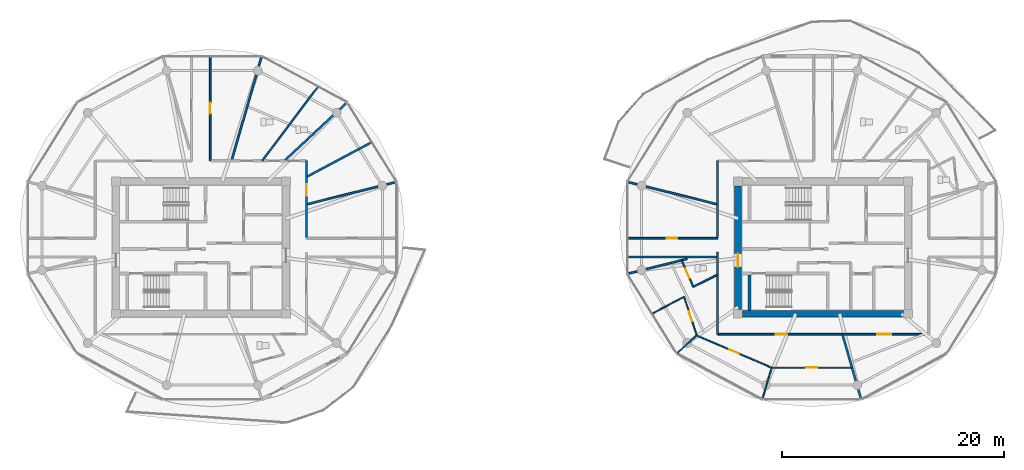
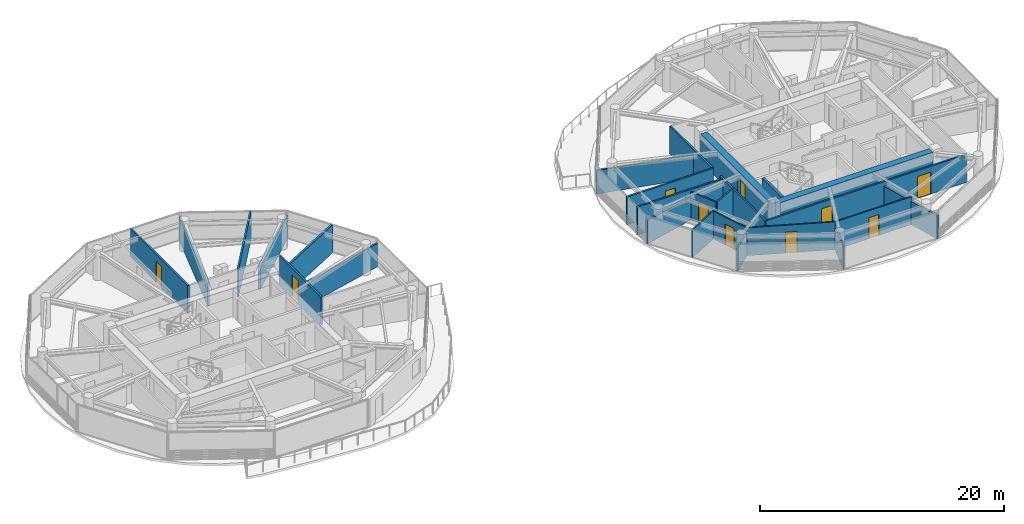
# One storey, part 14 of 23: 26 walls, 10 doors, 10 openings.
"""IFC4 building model written with IfcOpenShell, lengths in metres."""

import ifcopenshell
import ifcopenshell.guid

model = None  # the IFC model being written
_history = None  # IfcOwnerHistory: only IFC2X3 demands one
_inside = {}  # id of a spatial element -> (the spatial element, [elements in it])
_under = {}  # id of a project, library or spatial element -> (it, [spatial elements below it])
_declared = {}  # id of a project -> (the project, [libraries it declares])
_typed = {}  # id of a type object -> (the type object, [elements of that type])
_made_of = {}  # id of a material, layer set ... -> (it, [elements and type objects made of it])


def new_model(schema):
    """Start an empty IFC model of exactly this schema.

    Asked for "IFC4X3", IfcOpenShell would pick the latest addendum, in which some entities
    have other attributes; the version numbers below select the first issue.
    IFC2X3 requires an IfcOwnerHistory on every rooted entity: one is made here for all.
    """
    global model, _history
    if schema == "IFC4X3":
        model = ifcopenshell.file(schema_version=(4, 3, 0, 0))
    else:
        model = ifcopenshell.file(schema=schema)
    _inside.clear()
    _under.clear()
    _declared.clear()
    _typed.clear()
    _made_of.clear()
    _history = None
    if model.schema == "IFC2X3":
        org = make("IfcOrganization", Name="unknown")
        user = make(
            "IfcPersonAndOrganization",
            ThePerson=make("IfcPerson", FamilyName="unknown"),
            TheOrganization=org,
        )
        app = make(
            "IfcApplication",
            ApplicationDeveloper=org,
            Version="unknown",
            ApplicationFullName="unknown",
            ApplicationIdentifier="unknown",
        )
        _history = make(
            "IfcOwnerHistory",
            OwningUser=user,
            OwningApplication=app,
            ChangeAction="ADDED",
            CreationDate=0,
        )
    return model


def make(cls, **values):
    """One entity of the class cls with the attributes given. An attribute that is None is left unset."""
    return model.create_entity(
        cls, **{name: value for name, value in values.items() if value is not None}
    )


def rooted(cls, **values):
    """An entity with a GlobalId (a new one), such as an element, a storey or a relation."""
    return make(cls, GlobalId=ifcopenshell.guid.new(), OwnerHistory=_history, **values)


def si_unit(unit_type, name, prefix=None):
    """IfcSIUnit, for example si_unit("LENGTHUNIT", "METRE", prefix="MILLI")."""
    return make("IfcSIUnit", UnitType=unit_type, Prefix=prefix, Name=name)


def assignment(units):
    """IfcUnitAssignment: the units of a project."""
    return None if units is None else make("IfcUnitAssignment", Units=units)


def point(xyz):
    """IfcCartesianPoint."""
    return None if xyz is None else make("IfcCartesianPoint", Coordinates=xyz)


def direction(xyz):
    """IfcDirection."""
    return None if xyz is None else make("IfcDirection", DirectionRatios=xyz)


def frame(location, z_axis=None, x_axis=None):
    """IfcAxis2Placement3D, a coordinate frame: its origin and axes. An axis left out is left unset."""
    return make(
        "IfcAxis2Placement3D",
        Location=point(location),
        Axis=direction(z_axis),
        RefDirection=direction(x_axis),
    )


def frame_2d(location, x_axis=None):
    """IfcAxis2Placement2D, a coordinate frame in the plane: its origin and x axis."""
    return make(
        "IfcAxis2Placement2D", Location=point(location), RefDirection=direction(x_axis)
    )


def origin():
    """The frame at (0, 0, 0) with its axes left unset."""
    return frame((0.0, 0.0, 0.0))


def place(relative_to, where):
    """IfcLocalPlacement: puts the frame where relative to a parent placement (None: the world)."""
    return make(
        "IfcLocalPlacement", PlacementRelTo=relative_to, RelativePlacement=where
    )


def context(
    kind, dimensions, precision=None, world=None, true_north=None, identifier=None
):
    """IfcGeometricRepresentationContext, for example the 3D "Model" context."""
    return make(
        "IfcGeometricRepresentationContext",
        ContextIdentifier=identifier,
        ContextType=kind,
        CoordinateSpaceDimension=dimensions,
        Precision=precision,
        WorldCoordinateSystem=world,
        TrueNorth=true_north,
    )


def subcontext(parent, identifier, kind, view, scale=None):
    """IfcGeometricRepresentationSubContext, for example "Body" below "Model"."""
    return make(
        "IfcGeometricRepresentationSubContext",
        ContextIdentifier=identifier,
        ContextType=kind,
        ParentContext=parent,
        TargetScale=scale,
        TargetView=view,
    )


def project(units=None, contexts=None):
    """IfcProject with its units and contexts."""
    return rooted(
        "IfcProject",
        Name="project",
        RepresentationContexts=contexts,
        UnitsInContext=assignment(units),
    )


def spatial(cls, under=None, at=None, **own):
    """A site, building, storey or space (cls), placed at a placement, below another one or the project."""
    s = rooted(cls, ObjectPlacement=at, **own)
    if under is not None:
        _under.setdefault(under.id(), (under, []))[1].append(s)
    return s


def profile(cls, at=None, kind="AREA", **sizes):
    """A parametric profile (cls). Its sizes go by their IFC names, for example OverallWidth=200.0."""
    return make(cls, ProfileType=kind, Position=at, **sizes)


def rectangle(**sizes):
    """IfcRectangleProfileDef."""
    return profile("IfcRectangleProfileDef", **sizes)


def extrude(swept, where, along, depth):
    """IfcExtrudedAreaSolid: the profile swept, set in the frame where, extruded along a direction by depth."""
    return make(
        "IfcExtrudedAreaSolid",
        SweptArea=swept,
        Position=where,
        ExtrudedDirection=direction(along),
        Depth=depth,
    )


def shape(context_of_items, identifier, shape_type, items):
    """IfcShapeRepresentation: the items that make up one representation, for example the "Body"."""
    return make(
        "IfcShapeRepresentation",
        ContextOfItems=context_of_items,
        RepresentationIdentifier=identifier,
        RepresentationType=shape_type,
        Items=items,
    )


def source(mapping_origin, context_of_items, identifier, shape_type, items):
    """IfcRepresentationMap: a shape defined once, which mapped items show again and again."""
    return make(
        "IfcRepresentationMap",
        MappingOrigin=mapping_origin,
        MappedRepresentation=shape(context_of_items, identifier, shape_type, items),
    )


def transform(
    local_origin,
    x_axis=None,
    y_axis=None,
    z_axis=None,
    scale=None,
    scale2=None,
    scale3=None,
    uniform=True,
):
    """IfcCartesianTransformationOperator3D, or its non-uniform kind. x_axis, y_axis, z_axis: its Axis1, 2, 3."""
    if uniform:
        return make(
            "IfcCartesianTransformationOperator3D",
            Axis1=direction(x_axis),
            Axis2=direction(y_axis),
            LocalOrigin=point(local_origin),
            Scale=scale,
            Axis3=direction(z_axis),
        )
    return make(
        "IfcCartesianTransformationOperator3DnonUniform",
        Axis1=direction(x_axis),
        Axis2=direction(y_axis),
        LocalOrigin=point(local_origin),
        Scale=scale,
        Axis3=direction(z_axis),
        Scale2=scale2,
        Scale3=scale3,
    )


def mapped(mapping_source, mapping_target):
    """IfcMappedItem: shows the shape of a source again, moved by a transform."""
    return make(
        "IfcMappedItem", MappingSource=mapping_source, MappingTarget=mapping_target
    )


def material(Name=None, Category=None):
    """IfcMaterial."""
    return make("IfcMaterial", Name=Name, Category=Category)


def layer(
    of_material, thickness, ventilated=None, Name=None, Category=None, Priority=None
):
    """IfcMaterialLayer: one layer of a wall or slab, of a material (None: an air gap)."""
    return make(
        "IfcMaterialLayer",
        Material=of_material,
        LayerThickness=thickness,
        IsVentilated=ventilated,
        Name=Name,
        Category=Category,
        Priority=Priority,
    )


def layer_set(layers, Name=None):
    """IfcMaterialLayerSet."""
    return make("IfcMaterialLayerSet", MaterialLayers=layers, LayerSetName=Name)


def made_of(thing, what):
    """Note that an element or type object is made of a material, layer set ...; save() writes the relation."""
    if what is not None:
        _made_of.setdefault(what.id(), (what, []))[1].append(thing)
    return thing


def type_object(cls, material=None, **own):
    """A type object (cls), such as IfcWallType, which elements share."""
    return made_of(rooted(cls, **own), material)


def type_shapes(of_type, sources):
    """Give a type object the sources (RepresentationMaps) that its elements show as mapped items."""
    of_type.RepresentationMaps = sources


def element(
    cls,
    number,
    at=None,
    inside=None,
    cuts=None,
    type_object=None,
    material=None,
    context=None,
    identifier="Body",
    shape_type=None,
    held_by="IfcProductDefinitionShape",
    body=None,
    shapes=None,
    **own,
):
    """One element of the class cls, such as IfcWall. Its Tag is "e" and its number.

    at: its placement. inside: the storey or other place that contains it. cuts: it is an
    opening in that element (IfcRelVoidsElement). A single representation is given by context,
    identifier, shape_type and body (its items); several are given by shapes. held_by: the class
    of the entity that holds the representations. save() writes the other relations.
    """
    e = rooted(cls, Tag="e%d" % number, ObjectPlacement=at, **own)
    if body is not None:
        shapes = [shape(context, identifier, shape_type, body)]
    if shapes is not None:
        e.Representation = make(held_by, Representations=shapes)
    if inside is not None:
        _inside.setdefault(inside.id(), (inside, []))[1].append(e)
    if cuts is not None:
        rooted(
            "IfcRelVoidsElement", RelatingBuildingElement=cuts, RelatedOpeningElement=e
        )
    if type_object is not None:
        _typed.setdefault(type_object.id(), (type_object, []))[1].append(e)
    return made_of(e, material)


def fill(opening, filler):
    """IfcRelFillsElement: the door or window that sits in an opening."""
    return rooted(
        "IfcRelFillsElement",
        RelatingOpeningElement=opening,
        RelatedBuildingElement=filler,
    )


def aggregate(whole, parts):
    """IfcRelAggregates: a whole, such as a stair, and the parts it consists of."""
    return rooted("IfcRelAggregates", RelatingObject=whole, RelatedObjects=parts)


def save(model, path):
    """Write the relations noted so far, then the file.

    IfcRelAggregates (storeys below a building ...), IfcRelContainedInSpatialStructure (elements
    in a storey), IfcRelDefinesByType, IfcRelAssociatesMaterial and IfcRelDeclares: one each for
    every whole, place, type object, material and project.
    """
    for whole, parts in _under.values():
        aggregate(whole, parts)
    for where, things in _inside.values():
        rooted(
            "IfcRelContainedInSpatialStructure",
            RelatedElements=things,
            RelatingStructure=where,
        )
    for kind, things in _typed.values():
        rooted("IfcRelDefinesByType", RelatedObjects=things, RelatingType=kind)
    for what, things in _made_of.values():
        rooted("IfcRelAssociatesMaterial", RelatedObjects=things, RelatingMaterial=what)
    for by, libraries in _declared.values():
        rooted("IfcRelDeclares", RelatingContext=by, RelatedDefinitions=libraries)
    model.write(path)


model = new_model("IFC4")

# Units and contexts
model_context = context("Model", 3, precision=1e-05, world=origin(), true_north=direction((0.0, 1.0)))
body_context = subcontext(model_context, "Body", "Model", "MODEL_VIEW")
ifc_project = project(units=[si_unit("LENGTHUNIT", "METRE"), si_unit("AREAUNIT", "SQUARE_METRE"), si_unit("VOLUMEUNIT", "CUBIC_METRE"), si_unit("PLANEANGLEUNIT", "RADIAN"), si_unit("MASSUNIT", "GRAM", prefix="KILO")], contexts=[model_context])

# Site, building, storey
site_placement = place(None, origin())
site = spatial("IfcSite", under=ifc_project, at=site_placement, CompositionType="ELEMENT")
building_placement = place(site_placement, origin())
building = spatial("IfcBuilding", under=site, at=building_placement, Name="Norrkilde Senior Care Towers", CompositionType="ELEMENT")
storey_placement = place(building_placement, frame((0.0, 0.0, 177.0)))
storey = spatial("IfcBuildingStorey", under=building, at=storey_placement, Name="L55", CompositionType="ELEMENT", Elevation=177.0)

# Wall
ifc_material_1 = material(Name="Concrete C50/60", Category="concrete")
ifc_layer_1 = layer(ifc_material_1, 0.6201171875)
ifc_layer_set_1 = layer_set([ifc_layer_1], Name="Concrete C50/60")
wall_type_1 = type_object("IfcWallType", Name="Core Shear Wall Z3 620", PredefinedType="SHEAR", material=ifc_layer_set_1)
shared_shape_1 = source(origin(), body_context, "Body", "SweptSolid", [
    extrude(rectangle(XDim=14.5, YDim=0.6201171875, at=frame_2d((7.25, 0.0))), origin(), (0.0, 0.0, 1.0), 2.81005859375),
])
wall_1_placement = place(storey_placement, frame((35.25, -5.949951171875, 0.0), z_axis=(0.0, 0.0, 1.0), x_axis=(-1.0, 0.0, 0.0)))
element("IfcWall", 1, at=wall_1_placement, inside=storey, type_object=wall_type_1, Name="L55 Core E South Shear Wall", PredefinedType="SHEAR", context=body_context, shape_type="MappedRepresentation", body=[
    mapped(shared_shape_1, transform((0.0, 0.0, 0.0), x_axis=(1.0, 0.0, 0.0), y_axis=(0.0, 1.0, 0.0), z_axis=(0.0, 0.0, 1.0), scale=1.0)),
])

# Wall, opening, door
shared_shape_2 = source(origin(), body_context, "Body", "SweptSolid", [
    extrude(rectangle(XDim=11.10009765625, YDim=0.6201171875, at=frame_2d((5.550048828125, 0.0))), origin(), (0.0, 0.0, 1.0), 2.81005859375),
])
type_shapes(wall_type_1, [shared_shape_1, shared_shape_2])
wall_2_placement = place(storey_placement, frame((20.35009765625, -5.550048828125, 0.0), z_axis=(0.0, 0.0, 1.0), x_axis=(0.0, 1.0, 0.0)))
wall_2 = element("IfcWall", 2, at=wall_2_placement, inside=storey, type_object=wall_type_1, Name="L55 Core E West Shear Wall", PredefinedType="SHEAR", context=body_context, shape_type="MappedRepresentation", body=[
    mapped(shared_shape_2, transform((0.0, 0.0, 0.0), x_axis=(1.0, 0.0, 0.0), y_axis=(0.0, 1.0, 0.0), z_axis=(0.0, 0.0, 1.0), scale=1.0)),
])
opening_1_placement = place(wall_2_placement, frame((3.800048828125, 0.0, 0.0)))
opening_1 = element("IfcOpeningElement", 3, at=opening_1_placement, cuts=wall_2, Name="Opening D-04", PredefinedType="OPENING", context=body_context, shape_type="SweptSolid", body=[
    extrude(rectangle(XDim=1.199951171875, YDim=2.14990234375, at=frame_2d((0.60009765625, 1.074951171875))), frame((0.0, 0.320068359375, 0.0), z_axis=(0.0, -1.0, 0.0), x_axis=(1.0, 0.0, 0.0)), (0.0, 0.0, 1.0), 0.64013671875),
])
ifc_material_2 = material(Name="Galvanised Painted Steel", Category="steel")
door_type_1 = type_object("IfcDoorType", Name="Firefighting Lobby Fire Door 1200x2150", OperationType="NOTDEFINED", PredefinedType="DOOR", material=ifc_material_2)
shared_shape_3 = source(origin(), body_context, "Body", "SweptSolid", [
    extrude(rectangle(XDim=1.199951171875, YDim=2.14990234375, at=frame_2d((0.60009765625, 1.074951171875))), frame((0.0, 0.02490234375, 0.0), z_axis=(0.0, -1.0, 0.0), x_axis=(1.0, 0.0, 0.0)), (0.0, 0.0, 1.0), 0.050048828125),
])
type_shapes(door_type_1, [shared_shape_3])
door_1_placement = place(opening_1_placement, frame((1.199951171875, 0.0, 0.0), z_axis=(0.0, 0.0, 1.0), x_axis=(-1.0, 0.0, 0.0)))
door_1 = element("IfcDoor", 4, at=door_1_placement, inside=storey, type_object=door_type_1, Name="L55 Core E West Portal Door", OperationType="SINGLE_SWING_LEFT", OverallHeight=2.14990234375, OverallWidth=1.199951171875, PredefinedType="DOOR", context=body_context, shape_type="MappedRepresentation", body=[
    mapped(shared_shape_3, transform((0.0, 0.0, 0.0), x_axis=(1.0, 0.0, 0.0), y_axis=(0.0, 1.0, 0.0), z_axis=(0.0, 0.0, 1.0), scale=1.0)),
])
fill(opening_1, door_1)

# Walls
ifc_material_3 = material(Name="Concrete C45/55", Category="concrete")
ifc_layer_2 = layer(ifc_material_3, 0.239990234375)
ifc_layer_set_2 = layer_set([ifc_layer_2], Name="Concrete C45/55")
wall_type_2 = type_object("IfcWallType", Name="Shaft and Stair Enclosure Wall 240", PredefinedType="PARTITIONING", material=ifc_layer_set_2)
shared_shape_4 = source(origin(), body_context, "Body", "SweptSolid", [
    extrude(rectangle(XDim=3.18994140625, YDim=0.239990234375, at=frame_2d((1.594970703125, 0.0))), origin(), (0.0, 0.0, 1.0), 2.81005859375),
])
type_shapes(wall_type_2, [shared_shape_4])
wall_3_placement = place(storey_placement, frame((21.3798828125, -5.639892578125, 0.0), z_axis=(0.0, 0.0, 1.0), x_axis=(0.0, 1.0, 0.0)))
element("IfcWall", 5, at=wall_3_placement, inside=storey, type_object=wall_type_2, Name="WL-INT-L55-E-ST2W", PredefinedType="PARTITIONING", context=body_context, shape_type="MappedRepresentation", body=[
    mapped(shared_shape_4, transform((0.0, 0.0, 0.0), x_axis=(1.0, 0.0, 0.0), y_axis=(0.0, 1.0, 0.0), z_axis=(0.0, 0.0, 1.0), scale=1.0)),
])
ifc_material_4 = material(Name="Gypsum Acoustic Board")
ifc_layer_3 = layer(ifc_material_4, 0.1650390625)
ifc_layer_set_3 = layer_set([ifc_layer_3], Name="Gypsum Acoustic Board")
wall_type_3 = type_object("IfcWallType", Name="Corridor Rated Partition 165", PredefinedType="PARTITIONING", material=ifc_layer_set_3)
shared_shape_5 = source(origin(), body_context, "Body", "SweptSolid", [
    extrude(rectangle(XDim=9.73046875, YDim=0.1650390625, at=frame_2d((4.865234375, 0.0))), origin(), (0.0, 0.0, 1.0), 2.344970703125),
])
wall_4_placement = place(storey_placement, frame((-25.216552734375, 7.8798828125, 0.0), z_axis=(0.0, 0.0, 1.0), x_axis=(0.27679492614, 0.960929013436, 0.0)))
element("IfcWall", 6, at=wall_4_placement, inside=storey, type_object=wall_type_3, Name="WL-INT-L55-W-DEM-02-0", PredefinedType="PARTITIONING", context=body_context, shape_type="MappedRepresentation", body=[
    mapped(shared_shape_5, transform((0.0, 0.0, 0.0), x_axis=(1.0, 0.0, 0.0), y_axis=(0.0, 1.0, 0.0), z_axis=(0.0, 0.0, 1.0), scale=1.0)),
])
ifc_layer_4 = layer(ifc_material_4, 0.18994140625)
ifc_layer_set_4 = layer_set([ifc_layer_4], Name="Gypsum Acoustic Board")
wall_type_4 = type_object("IfcWallType", Name="Unit Demising Acoustic Wall 190", PredefinedType="PARTITIONING", material=ifc_layer_set_4)
shared_shape_6 = source(origin(), body_context, "Body", "SweptSolid", [
    extrude(rectangle(XDim=7.648193359375, YDim=0.18994140625, at=frame_2d((3.82421875, 0.0))), origin(), (0.0, 0.0, 1.0), 2.344970703125),
])
wall_5_placement = place(storey_placement, frame((-20.41259765625, 7.8798828125, 0.0), z_axis=(0.0, 0.0, 1.0), x_axis=(0.732182665826, 0.681108320213, 0.0)))
element("IfcWall", 7, at=wall_5_placement, inside=storey, type_object=wall_type_4, Name="WL-INT-L55-W-DEM-01-0", PredefinedType="PARTITIONING", context=body_context, shape_type="MappedRepresentation", body=[
    mapped(shared_shape_6, transform((0.0, 0.0, 0.0), x_axis=(1.0, 0.0, 0.0), y_axis=(0.0, 1.0, 0.0), z_axis=(0.0, 0.0, 1.0), scale=1.0)),
])
ifc_layer_5 = layer(ifc_material_4, 0.139892578125)
ifc_layer_set_5 = layer_set([ifc_layer_5], Name="Gypsum Acoustic Board")
wall_type_5 = type_object("IfcWallType", Name="En-suite Wet Room Wall 140", PredefinedType="PARTITIONING", material=ifc_layer_set_5)
shared_shape_7 = source(origin(), body_context, "Body", "SweptSolid", [
    extrude(rectangle(XDim=2.402587890625, YDim=0.139892578125, at=frame_2d((1.201171875, 0.0))), origin(), (0.0, 0.0, 1.0), 2.794921875),
])
wall_6_placement = place(storey_placement, frame((18.469970703125, -2.455810546875, 0.0), z_axis=(0.0, 0.0, 1.0), x_axis=(-0.895339866084, -0.445383569748, 0.0)))
element("IfcWall", 8, at=wall_6_placement, inside=storey, type_object=wall_type_5, Name="WL-INT-L55-E-UBTS-06", PredefinedType="PARTITIONING", context=body_context, shape_type="MappedRepresentation", body=[
    mapped(shared_shape_7, transform((0.0, 0.0, 0.0), x_axis=(1.0, 0.0, 0.0), y_axis=(0.0, 1.0, 0.0), z_axis=(0.0, 0.0, 1.0), scale=1.0)),
])
shared_shape_8 = source(origin(), body_context, "Body", "SweptSolid", [
    extrude(rectangle(XDim=5.564453125, YDim=0.1650390625, at=frame_2d((2.7822265625, 0.0))), origin(), (0.0, 0.0, 1.0), 2.344970703125),
])
wall_7_placement = place(storey_placement, frame((15.76025390625, -1.02001953125, 0.0), z_axis=(0.0, 0.0, 1.0), x_axis=(-0.970315176167, -0.241843872984, 0.0)))
element("IfcWall", 9, at=wall_7_placement, inside=storey, type_object=wall_type_3, Name="WL-INT-L55-E-DEM-06-0", PredefinedType="PARTITIONING", context=body_context, shape_type="MappedRepresentation", body=[
    mapped(shared_shape_8, transform((0.0, 0.0, 0.0), x_axis=(1.0, 0.0, 0.0), y_axis=(0.0, 1.0, 0.0), z_axis=(0.0, 0.0, 1.0), scale=1.0)),
])
shared_shape_9 = source(origin(), body_context, "Body", "SweptSolid", [
    extrude(rectangle(XDim=8.305419921875, YDim=0.1650390625, at=frame_2d((4.15283203125, 0.0))), origin(), (0.0, 0.0, 1.0), 2.344970703125),
])
for number, where, z_axis, x_axis, name in (
    (10, (-18.419921875, 3.90771484375, 0.0), (0.0, 0.0, 1.0), (0.970309994378, 0.241864662175, 0.0), "WL-INT-L55-W-DEM-00-0"),
    (11, (18.419921875, 3.90771484375, 0.0), (0.0, 0.0, 1.0), (-0.970309994378, 0.241864662175, 0.0), "WL-INT-L55-E-DEM-05-0"),
):
    element("IfcWall", number, at=place(storey_placement, frame(where, z_axis=z_axis, x_axis=x_axis)), inside=storey, type_object=wall_type_3, Name=name, PredefinedType="PARTITIONING", context=body_context, shape_type="MappedRepresentation", body=[
        mapped(shared_shape_9, transform((0.0, 0.0, 0.0), x_axis=(1.0, 0.0, 0.0), y_axis=(0.0, 1.0, 0.0), z_axis=(0.0, 0.0, 1.0), scale=1.0)),
    ])
shared_shape_10 = source(origin(), body_context, "Body", "SweptSolid", [
    extrude(rectangle(XDim=6.035400390625, YDim=0.18994140625, at=frame_2d((3.017578125, 0.0))), origin(), (0.0, 0.0, 1.0), 2.344970703125),
])
wall_8_placement = place(storey_placement, frame((29.756103515625, -7.8798828125, 0.0), z_axis=(0.0, 0.0, 1.0), x_axis=(0.276809454862, -0.960924828329, 0.0)))
element("IfcWall", 12, at=wall_8_placement, inside=storey, type_object=wall_type_4, Name="WL-INT-L55-E-DEM-09-0", PredefinedType="PARTITIONING", context=body_context, shape_type="MappedRepresentation", body=[
    mapped(shared_shape_10, transform((0.0, 0.0, 0.0), x_axis=(1.0, 0.0, 0.0), y_axis=(0.0, 1.0, 0.0), z_axis=(0.0, 0.0, 1.0), scale=1.0)),
])

# Wall, openings, doors
shared_shape_11 = source(origin(), body_context, "Body", "SweptSolid", [
    extrude(rectangle(XDim=19.0, YDim=0.1650390625, at=frame_2d((9.5, 0.0))), origin(), (0.0, 0.0, 1.0), 2.794921875),
])
wall_9_placement = place(storey_placement, frame((37.5, -7.800048828125, 0.0), z_axis=(0.0, 0.0, 1.0), x_axis=(-1.0, 0.0, 0.0)))
wall_9 = element("IfcWall", 13, at=wall_9_placement, inside=storey, type_object=wall_type_3, Name="WL-INT-L55-E-CRW-S-0", PredefinedType="PARTITIONING", context=body_context, shape_type="MappedRepresentation", body=[
    mapped(shared_shape_11, transform((0.0, 0.0, 0.0), x_axis=(1.0, 0.0, 0.0), y_axis=(0.0, 1.0, 0.0), z_axis=(0.0, 0.0, 1.0), scale=1.0)),
])
opening_2_placement = place(wall_9_placement, frame((12.723388671875, 0.0, 0.0)))
opening_2 = element("IfcOpeningElement", 14, at=opening_2_placement, cuts=wall_9, Name="Opening D-06", PredefinedType="OPENING", context=body_context, shape_type="SweptSolid", body=[
    extrude(rectangle(XDim=1.050048828125, YDim=2.14990234375, at=frame_2d((0.52490234375, 1.074951171875))), frame((0.0, 0.092529296875, 0.0), z_axis=(0.0, -1.0, 0.0), x_axis=(1.0, 0.0, 0.0)), (0.0, 0.0, 1.0), 0.18505859375),
])
opening_3_placement = place(wall_9_placement, frame((3.3916015625, 0.0, 0.0)))
opening_3 = element("IfcOpeningElement", 15, at=opening_3_placement, cuts=wall_9, Name="Opening D-05", PredefinedType="OPENING", context=body_context, shape_type="SweptSolid", body=[
    extrude(rectangle(XDim=1.25, YDim=2.199951171875, at=frame_2d((0.625, 1.10009765625))), frame((0.0, 0.092529296875, 0.0), z_axis=(0.0, -1.0, 0.0), x_axis=(1.0, 0.0, 0.0)), (0.0, 0.0, 1.0), 0.18505859375),
])
ifc_material_5 = material(Name="Nordic Ash Timber", Category="wood")
door_type_2 = type_object("IfcDoorType", Name="Care Bedroom Bariatric Door 1250x2200", OperationType="NOTDEFINED", PredefinedType="DOOR", material=ifc_material_5)
shared_shape_12 = source(origin(), body_context, "Body", "SweptSolid", [
    extrude(rectangle(XDim=1.25, YDim=2.199951171875, at=frame_2d((0.625, 1.10009765625))), frame((0.0, 0.02490234375, 0.0), z_axis=(0.0, -1.0, 0.0), x_axis=(1.0, 0.0, 0.0)), (0.0, 0.0, 1.0), 0.050048828125),
])
type_shapes(door_type_2, [shared_shape_12])
door_2_placement = place(opening_3_placement, frame((1.25, 0.0, 0.0), z_axis=(0.0, 0.0, 1.0), x_axis=(-1.0, 0.0, 0.0)))
door_2 = element("IfcDoor", 16, at=door_2_placement, inside=storey, type_object=door_type_2, Name="L55 Care Coordination Charting Office Door", OperationType="SINGLE_SWING_RIGHT", OverallHeight=2.199951171875, OverallWidth=1.25, PredefinedType="DOOR", context=body_context, shape_type="MappedRepresentation", body=[
    mapped(shared_shape_12, transform((0.0, 0.0, 0.0), x_axis=(1.0, 0.0, 0.0), y_axis=(0.0, 1.0, 0.0), z_axis=(0.0, 0.0, 1.0), scale=1.0)),
])
fill(opening_3, door_2)
door_type_3 = type_object("IfcDoorType", Name="Apartment Entrance Fire Door 1050x2150", OperationType="NOTDEFINED", PredefinedType="DOOR", material=ifc_material_5)
shared_shape_13 = source(origin(), body_context, "Body", "SweptSolid", [
    extrude(rectangle(XDim=1.050048828125, YDim=2.14990234375, at=frame_2d((0.52490234375, 1.074951171875))), frame((0.0, 0.02490234375, 0.0), z_axis=(0.0, -1.0, 0.0), x_axis=(1.0, 0.0, 0.0)), (0.0, 0.0, 1.0), 0.050048828125),
])
type_shapes(door_type_3, [shared_shape_13])
door_3_placement = place(opening_2_placement, frame((1.050048828125, 0.0, 0.0), z_axis=(0.0, 0.0, 1.0), x_axis=(-1.0, 0.0, 0.0)))
door_3 = element("IfcDoor", 17, at=door_3_placement, inside=storey, type_object=door_type_3, Name="Apartment 55D Entrance Door", OperationType="SINGLE_SWING_LEFT", OverallHeight=2.14990234375, OverallWidth=1.050048828125, PredefinedType="DOOR", context=body_context, shape_type="MappedRepresentation", body=[
    mapped(shared_shape_13, transform((0.0, 0.0, 0.0), x_axis=(1.0, 0.0, 0.0), y_axis=(0.0, 1.0, 0.0), z_axis=(0.0, 0.0, 1.0), scale=1.0)),
])
fill(opening_2, door_3)

# Wall, opening, door
shared_shape_14 = source(origin(), body_context, "Body", "SweptSolid", [
    extrude(rectangle(XDim=6.880126953125, YDim=0.1650390625, at=frame_2d((3.43994140625, 0.0))), origin(), (0.0, 0.0, 1.0), 2.794921875),
])
wall_10_placement = place(storey_placement, frame((-18.5, 7.800048828125, 0.0), z_axis=(0.0, 0.0, 1.0), x_axis=(0.0, -1.0, 0.0)))
wall_10 = element("IfcWall", 18, at=wall_10_placement, inside=storey, type_object=wall_type_3, Name="WL-INT-L55-W-CRW-E-0", PredefinedType="PARTITIONING", context=body_context, shape_type="MappedRepresentation", body=[
    mapped(shared_shape_14, transform((0.0, 0.0, 0.0), x_axis=(1.0, 0.0, 0.0), y_axis=(0.0, 1.0, 0.0), z_axis=(0.0, 0.0, 1.0), scale=1.0)),
])
opening_4_placement = place(wall_10_placement, frame((2.080810546875, 0.0, 0.0)))
opening_4 = element("IfcOpeningElement", 19, at=opening_4_placement, cuts=wall_10, Name="Opening D-06", PredefinedType="OPENING", context=body_context, shape_type="SweptSolid", body=[
    extrude(rectangle(XDim=1.050048828125, YDim=2.14990234375, at=frame_2d((0.52490234375, 1.074951171875))), frame((0.0, 0.092529296875, 0.0), z_axis=(0.0, -1.0, 0.0), x_axis=(1.0, 0.0, 0.0)), (0.0, 0.0, 1.0), 0.18505859375),
])
door_4_placement = place(opening_4_placement, frame((1.050048828125, 0.0, 0.0), z_axis=(0.0, 0.0, 1.0), x_axis=(-1.0, 0.0, 0.0)))
door_4 = element("IfcDoor", 20, at=door_4_placement, inside=storey, type_object=door_type_3, Name="L55 Physiotherapy Clinic 0A Door", OperationType="SINGLE_SWING_LEFT", OverallHeight=2.14990234375, OverallWidth=1.050048828125, PredefinedType="DOOR", context=body_context, shape_type="MappedRepresentation", body=[
    mapped(shared_shape_13, transform((0.0, 0.0, 0.0), x_axis=(1.0, 0.0, 0.0), y_axis=(0.0, 1.0, 0.0), z_axis=(0.0, 0.0, 1.0), scale=1.0)),
])
fill(opening_4, door_4)

# Walls
wall_11_placement = place(storey_placement, frame((18.5, 0.919921875, 0.0), z_axis=(0.0, 0.0, 1.0), x_axis=(0.0, 1.0, 0.0)))
element("IfcWall", 21, at=wall_11_placement, inside=storey, type_object=wall_type_3, Name="WL-INT-L55-E-CRW-W-1", PredefinedType="PARTITIONING", context=body_context, shape_type="MappedRepresentation", body=[
    mapped(shared_shape_14, transform((0.0, 0.0, 0.0), x_axis=(1.0, 0.0, 0.0), y_axis=(0.0, 1.0, 0.0), z_axis=(0.0, 0.0, 1.0), scale=1.0)),
])
shared_shape_15 = source(origin(), body_context, "Body", "SweptSolid", [
    extrude(rectangle(XDim=7.364501953125, YDim=0.1650390625, at=frame_2d((3.68212890625, 0.0))), origin(), (0.0, 0.0, 1.0), 2.794921875),
])
wall_12_placement = place(storey_placement, frame((18.5, -7.800048828125, 0.0), z_axis=(0.0, 0.0, 1.0), x_axis=(0.0, 1.0, 0.0)))
element("IfcWall", 22, at=wall_12_placement, inside=storey, type_object=wall_type_3, Name="WL-INT-L55-E-CRW-W-0", PredefinedType="PARTITIONING", context=body_context, shape_type="MappedRepresentation", body=[
    mapped(shared_shape_15, transform((0.0, 0.0, 0.0), x_axis=(1.0, 0.0, 0.0), y_axis=(0.0, 1.0, 0.0), z_axis=(0.0, 0.0, 1.0), scale=1.0)),
])

# Wall, opening, door
shared_shape_16 = source(origin(), body_context, "Body", "SweptSolid", [
    extrude(rectangle(XDim=9.480224609375, YDim=0.1650390625, at=frame_2d((4.740234375, 0.0))), origin(), (0.0, 0.0, 1.0), 2.794921875),
])
wall_13_placement = place(storey_placement, frame((-27.159912109375, 17.2802734375, 0.0), z_axis=(0.0, 0.0, 1.0), x_axis=(0.0, -1.0, 0.0)))
wall_13 = element("IfcWall", 23, at=wall_13_placement, inside=storey, type_object=wall_type_3, Name="WL-INT-L55-W-SPK-N2-0", PredefinedType="PARTITIONING", context=body_context, shape_type="MappedRepresentation", body=[
    mapped(shared_shape_16, transform((0.0, 0.0, 0.0), x_axis=(1.0, 0.0, 0.0), y_axis=(0.0, 1.0, 0.0), z_axis=(0.0, 0.0, 1.0), scale=1.0)),
])
opening_5_placement = place(wall_13_placement, frame((4.26513671875, 0.0, 0.0)))
opening_5 = element("IfcOpeningElement", 24, at=opening_5_placement, cuts=wall_13, Name="Opening D-07", PredefinedType="OPENING", context=body_context, shape_type="SweptSolid", body=[
    extrude(rectangle(XDim=0.949951171875, YDim=2.10009765625, at=frame_2d((0.47509765625, 1.050048828125))), frame((0.0, 0.092529296875, 0.0), z_axis=(0.0, -1.0, 0.0), x_axis=(1.0, 0.0, 0.0)), (0.0, 0.0, 1.0), 0.18505859375),
])
door_type_4 = type_object("IfcDoorType", Name="Internal Suite Bedroom Door 950x2100", OperationType="NOTDEFINED", PredefinedType="DOOR", material=ifc_material_5)
shared_shape_17 = source(origin(), body_context, "Body", "SweptSolid", [
    extrude(rectangle(XDim=0.949951171875, YDim=2.10009765625, at=frame_2d((0.47509765625, 1.050048828125))), frame((0.0, 0.02490234375, 0.0), z_axis=(0.0, -1.0, 0.0), x_axis=(1.0, 0.0, 0.0)), (0.0, 0.0, 1.0), 0.050048828125),
])
type_shapes(door_type_4, [shared_shape_17])
door_5_placement = place(opening_5_placement, frame((0.949951171875, 0.0, 0.0), z_axis=(0.0, 0.0, 1.0), x_axis=(-1.0, 0.0, 0.0)))
door_5 = element("IfcDoor", 25, at=door_5_placement, inside=storey, type_object=door_type_4, Name="L55 Sun Reading Lounge 4 Door", OperationType="SINGLE_SWING_LEFT", OverallHeight=2.10009765625, OverallWidth=0.949951171875, PredefinedType="DOOR", context=body_context, shape_type="MappedRepresentation", body=[
    mapped(shared_shape_17, transform((0.0, 0.0, 0.0), x_axis=(1.0, 0.0, 0.0), y_axis=(0.0, 1.0, 0.0), z_axis=(0.0, 0.0, 1.0), scale=1.0)),
])
fill(opening_5, door_5)

shared_shape_18 = source(origin(), body_context, "Body", "SweptSolid", [
    extrude(rectangle(XDim=8.18896484375, YDim=0.1650390625, at=frame_2d((4.094482421875, 0.0))), origin(), (0.0, 0.0, 1.0), 2.794921875),
])
type_shapes(wall_type_3, [shared_shape_5, shared_shape_8, shared_shape_9, shared_shape_11, shared_shape_14, shared_shape_15, shared_shape_16, shared_shape_18])
wall_14_placement = place(storey_placement, frame((10.31103515625, 0.840087890625, 0.0), z_axis=(0.0, 0.0, 1.0), x_axis=(1.0, 0.0, 0.0)))
wall_14 = element("IfcWall", 26, at=wall_14_placement, inside=storey, type_object=wall_type_3, Name="WL-INT-L55-E-SPK-W1-0", PredefinedType="PARTITIONING", context=body_context, shape_type="MappedRepresentation", body=[
    mapped(shared_shape_18, transform((0.0, 0.0, 0.0), x_axis=(1.0, 0.0, 0.0), y_axis=(0.0, 1.0, 0.0), z_axis=(0.0, 0.0, 1.0), scale=1.0)),
])
opening_6_placement = place(wall_14_placement, frame((3.619384765625, 0.0, 0.0)))
opening_6 = element("IfcOpeningElement", 27, at=opening_6_placement, cuts=wall_14, Name="Opening D-07", PredefinedType="OPENING", context=body_context, shape_type="SweptSolid", body=[
    extrude(rectangle(XDim=0.949951171875, YDim=2.10009765625, at=frame_2d((0.47509765625, 1.050048828125))), frame((0.0, 0.092529296875, 0.0), z_axis=(0.0, -1.0, 0.0), x_axis=(1.0, 0.0, 0.0)), (0.0, 0.0, 1.0), 0.18505859375),
])
door_6_placement = place(opening_6_placement, frame((0.949951171875, 0.0, 0.0), z_axis=(0.0, 0.0, 1.0), x_axis=(-1.0, 0.0, 0.0)))
door_6 = element("IfcDoor", 28, at=door_6_placement, inside=storey, type_object=door_type_4, Name="L55 Sun Reading Lounge 2 Door", OperationType="SINGLE_SWING_LEFT", OverallHeight=2.10009765625, OverallWidth=0.949951171875, PredefinedType="DOOR", context=body_context, shape_type="MappedRepresentation", body=[
    mapped(shared_shape_17, transform((0.0, 0.0, 0.0), x_axis=(1.0, 0.0, 0.0), y_axis=(0.0, 1.0, 0.0), z_axis=(0.0, 0.0, 1.0), scale=1.0)),
])
fill(opening_6, door_6)

# Walls
wall_15_placement = place(storey_placement, frame((18.5, -0.840087890625, 0.0), z_axis=(0.0, 0.0, 1.0), x_axis=(-1.0, 0.0, 0.0)))
element("IfcWall", 29, at=wall_15_placement, inside=storey, type_object=wall_type_3, Name="WL-INT-L55-E-SPK-W2-0", PredefinedType="PARTITIONING", context=body_context, shape_type="MappedRepresentation", body=[
    mapped(shared_shape_18, transform((0.0, 0.0, 0.0), x_axis=(1.0, 0.0, 0.0), y_axis=(0.0, 1.0, 0.0), z_axis=(0.0, 0.0, 1.0), scale=1.0)),
])
shared_shape_19 = source(origin(), body_context, "Body", "SweptSolid", [
    extrude(rectangle(XDim=8.359375, YDim=0.139892578125, at=frame_2d((4.1796875, 0.0))), origin(), (0.0, 0.0, 1.0), 2.794921875),
])
wall_16_placement = place(storey_placement, frame((-22.477294921875, 7.830078125, 0.0), z_axis=(0.0, 0.0, 1.0), x_axis=(0.603265985309, 0.797540062297, 0.0)))
element("IfcWall", 30, at=wall_16_placement, inside=storey, type_object=wall_type_5, Name="WL-INT-L55-W-MID-01", PredefinedType="PARTITIONING", context=body_context, shape_type="MappedRepresentation", body=[
    mapped(shared_shape_19, transform((0.0, 0.0, 0.0), x_axis=(1.0, 0.0, 0.0), y_axis=(0.0, 1.0, 0.0), z_axis=(0.0, 0.0, 1.0), scale=1.0)),
])
shared_shape_20 = source(origin(), body_context, "Body", "SweptSolid", [
    extrude(rectangle(XDim=6.665283203125, YDim=0.18994140625, at=frame_2d((3.33251953125, 0.0))), origin(), (0.0, 0.0, 1.0), 2.794921875),
])
type_shapes(wall_type_4, [shared_shape_6, shared_shape_10, shared_shape_20])
wall_17_placement = place(storey_placement, frame((-18.469970703125, 6.36962890625, 0.0), z_axis=(0.0, 0.0, 1.0), x_axis=(0.88263769619, 0.470053930166, 0.0)))
element("IfcWall", 31, at=wall_17_placement, inside=storey, type_object=wall_type_4, Name="WL-INT-L55-W-MID-00", PredefinedType="PARTITIONING", context=body_context, shape_type="MappedRepresentation", body=[
    mapped(shared_shape_20, transform((0.0, 0.0, 0.0), x_axis=(1.0, 0.0, 0.0), y_axis=(0.0, 1.0, 0.0), z_axis=(0.0, 0.0, 1.0), scale=1.0)),
])

# Wall, opening, door
ifc_layer_6 = layer(ifc_material_4, 0.114990234375)
ifc_layer_set_6 = layer_set([ifc_layer_6], Name="Gypsum Acoustic Board")
wall_type_6 = type_object("IfcWallType", Name="Internal Room Partition 115", PredefinedType="PARTITIONING", material=ifc_layer_set_6)
shared_shape_21 = source(origin(), body_context, "Body", "SweptSolid", [
    extrude(rectangle(XDim=7.34375, YDim=0.114990234375, at=frame_2d((3.671875, 0.0))), origin(), (0.0, 0.0, 1.0), 2.794921875),
])
wall_18_placement = place(storey_placement, frame((16.623779296875, -7.90966796875, 0.0), z_axis=(0.0, 0.0, 1.0), x_axis=(0.918735287054, -0.3948739955, 0.0)))
wall_18 = element("IfcWall", 32, at=wall_18_placement, inside=storey, type_object=wall_type_6, Name="WL-INT-L55-E-UBC-06-1", PredefinedType="PARTITIONING", context=body_context, shape_type="MappedRepresentation", body=[
    mapped(shared_shape_21, transform((0.0, 0.0, 0.0), x_axis=(1.0, 0.0, 0.0), y_axis=(0.0, 1.0, 0.0), z_axis=(0.0, 0.0, 1.0), scale=1.0)),
])
opening_7_placement = place(wall_18_placement, frame((3.197021484375, 0.0, 0.0)))
opening_7 = element("IfcOpeningElement", 33, at=opening_7_placement, cuts=wall_18, Name="Opening D-07", PredefinedType="OPENING", context=body_context, shape_type="SweptSolid", body=[
    extrude(rectangle(XDim=0.949951171875, YDim=2.10009765625, at=frame_2d((0.47509765625, 1.050048828125))), frame((0.0, 0.0673828125, 0.0), z_axis=(0.0, -1.0, 0.0), x_axis=(1.0, 0.0, 0.0)), (0.0, 0.0, 1.0), 0.135009765625),
])
door_7_placement = place(opening_7_placement, origin())
door_7 = element("IfcDoor", 34, at=door_7_placement, inside=storey, type_object=door_type_4, Name="Apartment 55D Bedroom 1 Door", OperationType="SINGLE_SWING_RIGHT", OverallHeight=2.10009765625, OverallWidth=0.949951171875, PredefinedType="DOOR", context=body_context, shape_type="MappedRepresentation", body=[
    mapped(shared_shape_17, transform((0.0, 0.0, 0.0), x_axis=(1.0, 0.0, 0.0), y_axis=(0.0, 1.0, 0.0), z_axis=(0.0, 0.0, 1.0), scale=1.0)),
])
fill(opening_7, door_7)

# Wall
shared_shape_22 = source(origin(), body_context, "Body", "SweptSolid", [
    extrude(rectangle(XDim=2.435546875, YDim=0.114990234375, at=frame_2d((1.2177734375, 0.0))), origin(), (0.0, 0.0, 1.0), 2.344970703125),
])
wall_19_placement = place(storey_placement, frame((16.623779296875, -7.90966796875, 0.0), z_axis=(0.0, 0.0, 1.0), x_axis=(-0.743553265121, -0.668676709575, 0.0)))
element("IfcWall", 35, at=wall_19_placement, inside=storey, type_object=wall_type_6, Name="WL-INT-L55-E-UBR-06-1", PredefinedType="PARTITIONING", context=body_context, shape_type="MappedRepresentation", body=[
    mapped(shared_shape_22, transform((0.0, 0.0, 0.0), x_axis=(1.0, 0.0, 0.0), y_axis=(0.0, 1.0, 0.0), z_axis=(0.0, 0.0, 1.0), scale=1.0)),
])

# Wall, opening, door
shared_shape_23 = source(origin(), body_context, "Body", "SweptSolid", [
    extrude(rectangle(XDim=7.206787109375, YDim=0.114990234375, at=frame_2d((3.603515625, 0.0))), origin(), (0.0, 0.0, 1.0), 2.794921875),
])
wall_20_placement = place(storey_placement, frame((23.37158203125, -10.806884765625, 0.0), z_axis=(0.0, 0.0, 1.0), x_axis=(1.0, 0.0, 0.0)))
wall_20 = element("IfcWall", 36, at=wall_20_placement, inside=storey, type_object=wall_type_6, Name="WL-INT-L55-E-UBC-06-2", PredefinedType="PARTITIONING", context=body_context, shape_type="MappedRepresentation", body=[
    mapped(shared_shape_23, transform((0.0, 0.0, 0.0), x_axis=(1.0, 0.0, 0.0), y_axis=(0.0, 1.0, 0.0), z_axis=(0.0, 0.0, 1.0), scale=1.0)),
])
opening_8_placement = place(wall_20_placement, frame((3.12841796875, 0.0, 0.0)))
opening_8 = element("IfcOpeningElement", 37, at=opening_8_placement, cuts=wall_20, Name="Opening D-07", PredefinedType="OPENING", context=body_context, shape_type="SweptSolid", body=[
    extrude(rectangle(XDim=0.949951171875, YDim=2.10009765625, at=frame_2d((0.47509765625, 1.050048828125))), frame((0.0, 0.0673828125, 0.0), z_axis=(0.0, -1.0, 0.0), x_axis=(1.0, 0.0, 0.0)), (0.0, 0.0, 1.0), 0.135009765625),
])
door_8_placement = place(opening_8_placement, frame((0.949951171875, 0.0, 0.0), z_axis=(0.0, 0.0, 1.0), x_axis=(-1.0, 0.0, 0.0)))
door_8 = element("IfcDoor", 38, at=door_8_placement, inside=storey, type_object=door_type_4, Name="Apartment 55D Bedroom 2 Door", OperationType="SINGLE_SWING_LEFT", OverallHeight=2.10009765625, OverallWidth=0.949951171875, PredefinedType="DOOR", context=body_context, shape_type="MappedRepresentation", body=[
    mapped(shared_shape_17, transform((0.0, 0.0, 0.0), x_axis=(1.0, 0.0, 0.0), y_axis=(0.0, 1.0, 0.0), z_axis=(0.0, 0.0, 1.0), scale=1.0)),
])
fill(opening_8, door_8)

# Wall
shared_shape_24 = source(origin(), body_context, "Body", "SweptSolid", [
    extrude(rectangle(XDim=2.9951171875, YDim=0.114990234375, at=frame_2d((1.49755859375, 0.0))), origin(), (0.0, 0.0, 1.0), 2.344970703125),
])
wall_21_placement = place(storey_placement, frame((23.37158203125, -10.806884765625, 0.0), z_axis=(0.0, 0.0, 1.0), x_axis=(-0.283247320714, -0.959046899431, 0.0)))
element("IfcWall", 39, at=wall_21_placement, inside=storey, type_object=wall_type_6, Name="WL-INT-L55-E-UBR-06-2", PredefinedType="PARTITIONING", context=body_context, shape_type="MappedRepresentation", body=[
    mapped(shared_shape_24, transform((0.0, 0.0, 0.0), x_axis=(1.0, 0.0, 0.0), y_axis=(0.0, 1.0, 0.0), z_axis=(0.0, 0.0, 1.0), scale=1.0)),
])

# Wall, opening, door
shared_shape_25 = source(origin(), body_context, "Body", "SweptSolid", [
    extrude(rectangle(XDim=2.6064453125, YDim=0.139892578125, at=frame_2d((1.30322265625, 0.0))), origin(), (0.0, 0.0, 1.0), 2.794921875),
])
type_shapes(wall_type_5, [shared_shape_7, shared_shape_19, shared_shape_25])
wall_22_placement = place(storey_placement, frame((16.31884765625, -3.52587890625, 0.0), z_axis=(0.0, 0.0, 1.0), x_axis=(-0.405599540311, 0.914050880914, 0.0)))
wall_22 = element("IfcWall", 40, at=wall_22_placement, inside=storey, type_object=wall_type_5, Name="WL-INT-L55-E-UBTF-06", PredefinedType="PARTITIONING", context=body_context, shape_type="MappedRepresentation", body=[
    mapped(shared_shape_25, transform((0.0, 0.0, 0.0), x_axis=(1.0, 0.0, 0.0), y_axis=(0.0, 1.0, 0.0), z_axis=(0.0, 0.0, 1.0), scale=1.0)),
])
opening_9_placement = place(wall_22_placement, frame((0.84326171875, 0.0, 0.0)))
opening_9 = element("IfcOpeningElement", 41, at=opening_9_placement, cuts=wall_22, Name="Opening D-08", PredefinedType="OPENING", context=body_context, shape_type="SweptSolid", body=[
    extrude(rectangle(XDim=0.919921875, YDim=2.10009765625, at=frame_2d((0.4599609375, 1.050048828125))), frame((0.0, 0.079833984375, 0.0), z_axis=(0.0, -1.0, 0.0), x_axis=(1.0, 0.0, 0.0)), (0.0, 0.0, 1.0), 0.159912109375),
])
door_type_5 = type_object("IfcDoorType", Name="Accessible Wet Room Door 920x2100", OperationType="NOTDEFINED", PredefinedType="DOOR", material=ifc_material_5)
shared_shape_26 = source(origin(), body_context, "Body", "SweptSolid", [
    extrude(rectangle(XDim=0.919921875, YDim=2.10009765625, at=frame_2d((0.4599609375, 1.050048828125))), frame((0.0, 0.02490234375, 0.0), z_axis=(0.0, -1.0, 0.0), x_axis=(1.0, 0.0, 0.0)), (0.0, 0.0, 1.0), 0.050048828125),
])
type_shapes(door_type_5, [shared_shape_26])
door_9_placement = place(opening_9_placement, origin())
door_9 = element("IfcDoor", 42, at=door_9_placement, inside=storey, type_object=door_type_5, Name="Apartment 55D Bathroom Door", OperationType="SINGLE_SWING_RIGHT", OverallHeight=2.10009765625, OverallWidth=0.919921875, PredefinedType="DOOR", context=body_context, shape_type="MappedRepresentation", body=[
    mapped(shared_shape_26, transform((0.0, 0.0, 0.0), x_axis=(1.0, 0.0, 0.0), y_axis=(0.0, 1.0, 0.0), z_axis=(0.0, 0.0, 1.0), scale=1.0)),
])
fill(opening_9, door_9)

# Wall
shared_shape_27 = source(origin(), body_context, "Body", "SweptSolid", [
    extrude(rectangle(XDim=3.271728515625, YDim=0.114990234375, at=frame_2d((1.6357421875, 0.0))), origin(), (0.0, 0.0, 1.0), 2.794921875),
])
wall_23_placement = place(storey_placement, frame((15.48388671875, -4.431884765625, 0.0), z_axis=(0.0, 0.0, 1.0), x_axis=(-0.885479276486, -0.464678868589, 0.0)))
element("IfcWall", 43, at=wall_23_placement, inside=storey, type_object=wall_type_6, Name="WL-INT-L55-E-UKTS-06", PredefinedType="PARTITIONING", context=body_context, shape_type="MappedRepresentation", body=[
    mapped(shared_shape_27, transform((0.0, 0.0, 0.0), x_axis=(1.0, 0.0, 0.0), y_axis=(0.0, 1.0, 0.0), z_axis=(0.0, 0.0, 1.0), scale=1.0)),
])

# Wall, opening, door
shared_shape_28 = source(origin(), body_context, "Body", "SweptSolid", [
    extrude(rectangle(XDim=3.65576171875, YDim=0.114990234375, at=frame_2d((1.827880859375, 0.0))), origin(), (0.0, 0.0, 1.0), 2.794921875),
])
type_shapes(wall_type_6, [shared_shape_21, shared_shape_22, shared_shape_23, shared_shape_24, shared_shape_27, shared_shape_28])
wall_24_placement = place(storey_placement, frame((15.48388671875, -4.431884765625, 0.0), z_axis=(0.0, 0.0, 1.0), x_axis=(0.313602075194, -0.949554494715, 0.0)))
wall_24 = element("IfcWall", 44, at=wall_24_placement, inside=storey, type_object=wall_type_6, Name="WL-INT-L55-E-UKTF-06", PredefinedType="PARTITIONING", context=body_context, shape_type="MappedRepresentation", body=[
    mapped(shared_shape_28, transform((0.0, 0.0, 0.0), x_axis=(1.0, 0.0, 0.0), y_axis=(0.0, 1.0, 0.0), z_axis=(0.0, 0.0, 1.0), scale=1.0)),
])
opening_10_placement = place(wall_24_placement, frame((1.352783203125, 0.0, 0.0)))
opening_10 = element("IfcOpeningElement", 45, at=opening_10_placement, cuts=wall_24, Name="Opening D-07", PredefinedType="OPENING", context=body_context, shape_type="SweptSolid", body=[
    extrude(rectangle(XDim=0.949951171875, YDim=2.10009765625, at=frame_2d((0.47509765625, 1.050048828125))), frame((0.0, 0.0673828125, 0.0), z_axis=(0.0, -1.0, 0.0), x_axis=(1.0, 0.0, 0.0)), (0.0, 0.0, 1.0), 0.135009765625),
])
door_10_placement = place(opening_10_placement, frame((0.949951171875, 0.0, 0.0), z_axis=(0.0, 0.0, 1.0), x_axis=(-1.0, 0.0, 0.0)))
door_10 = element("IfcDoor", 46, at=door_10_placement, inside=storey, type_object=door_type_4, Name="Apartment 55D Kitchen Door", OperationType="SINGLE_SWING_LEFT", OverallHeight=2.10009765625, OverallWidth=0.949951171875, PredefinedType="DOOR", context=body_context, shape_type="MappedRepresentation", body=[
    mapped(shared_shape_17, transform((0.0, 0.0, 0.0), x_axis=(1.0, 0.0, 0.0), y_axis=(0.0, 1.0, 0.0), z_axis=(0.0, 0.0, 1.0), scale=1.0)),
])
fill(opening_10, door_10)

save(model, "model.ifc")
